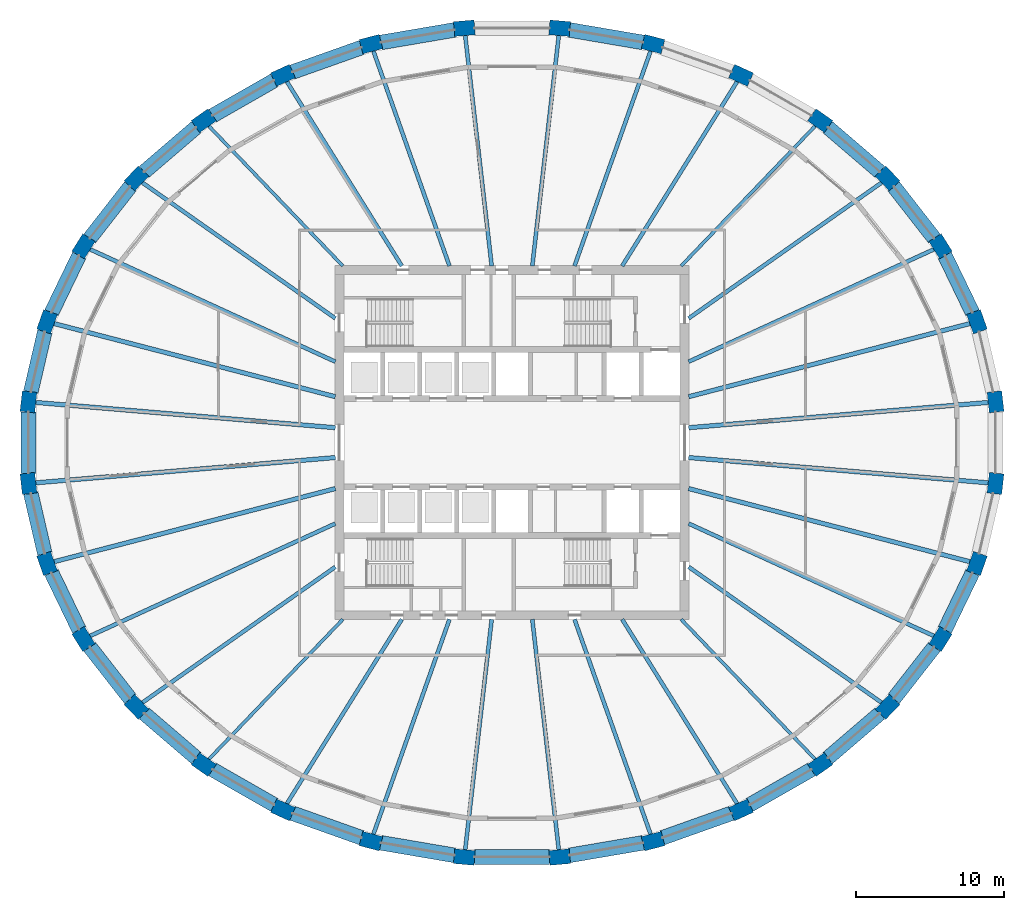
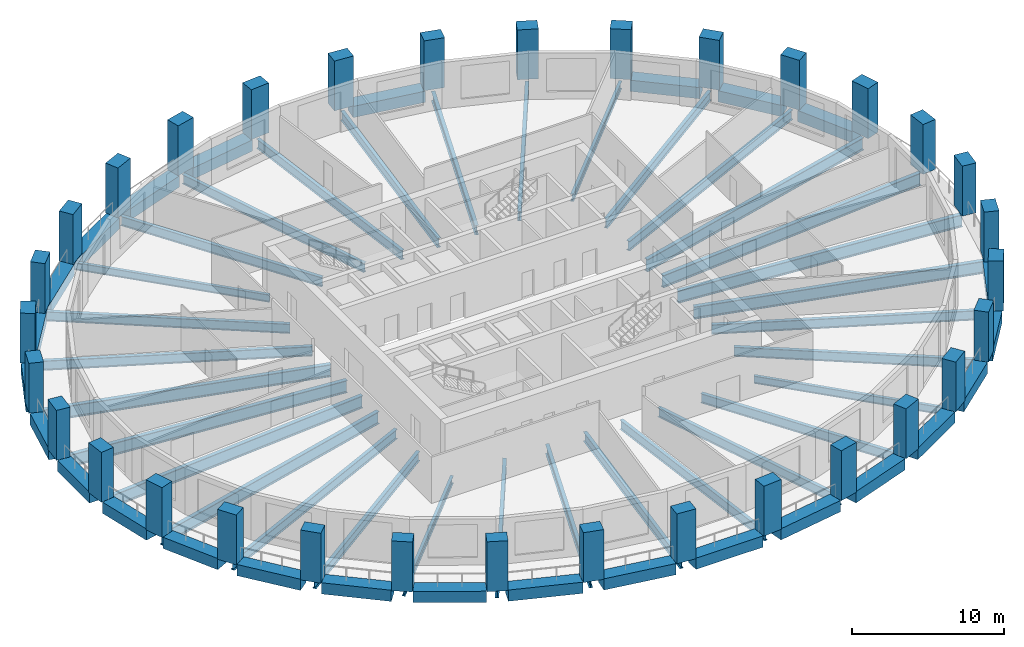
# One storey, part 1 of 10: 58 beams, 32 columns.
"""IFC4 building model written with IfcOpenShell, lengths in metres."""

from ifc_helpers import new_model, si_unit, direction, frame, origin, origin_2d, place, context, subcontext, project, spatial, rectangle, i_section, extrude, material, material_profile, profile_set, type_object, element, save


model = new_model("IFC4")

# Units and contexts
model_context = context("Model", 3, precision=1e-05, world=origin(), true_north=direction((0.0, 1.0)))
body_context = subcontext(model_context, "Body", "Model", "MODEL_VIEW")
ifc_project = project(units=[si_unit("LENGTHUNIT", "METRE"), si_unit("AREAUNIT", "SQUARE_METRE"), si_unit("VOLUMEUNIT", "CUBIC_METRE"), si_unit("PLANEANGLEUNIT", "RADIAN"), si_unit("MASSUNIT", "GRAM", prefix="KILO")], contexts=[model_context])

# Site, building, storey
site_placement = place(None, origin())
site = spatial("IfcSite", under=ifc_project, at=site_placement, CompositionType="ELEMENT")
building_placement = place(site_placement, origin())
building = spatial("IfcBuilding", under=site, at=building_placement, Name="Halqa Exchange Tower", CompositionType="ELEMENT")
storey_placement = place(building_placement, frame((0.0, 0.0, 182.89990234375)))
storey = spatial("IfcBuildingStorey", under=building, at=storey_placement, Name="L41", CompositionType="ELEMENT", Elevation=182.89990234375)

# Columns
ifc_material_1 = material(Name="Concrete C70/85", Category="concrete")
ifc_material_profile_1 = material_profile(ifc_material_1, rectangle(XDim=1.39990234375, YDim=1.0, at=origin_2d()), Name="1400 x 1000")
ifc_profile_set_1 = profile_set([ifc_material_profile_1], Name="Concrete C70/85")
column_type = type_object("IfcColumnType", Name="RC ring column 1400 x 1000 C70/85", PredefinedType="COLUMN", material=ifc_profile_set_1)
for number, where, z_axis, x_axis, name in (
    (1, (32.7626953125, 2.765869140625, 0.0), (0.0, 0.0, 1.0), (-0.114158655897, 0.993462531394, 0.0), "Ring column 1"),
    (2, (31.50341796875, 8.19140625, 0.0), (0.0, 0.0, 1.0), (-0.333632460227, 0.942703230865, 0.0), "Ring column 2"),
    (3, (29.03369140625, 13.302001953125, 0.0), (0.0, 0.0, 1.0), (-0.529137534311, 0.848536074533, 0.0), "Ring column 3"),
    (4, (25.448486328125, 17.9013671875, 0.0), (0.0, 0.0, 1.0), (-0.691574830638, 0.722304820438, 0.0), "Ring column 4"),
    (5, (20.885009765625, 21.81298828125, 0.0), (0.0, 0.0, 1.0), (-0.817911800523, 0.575343624772, 0.0), "Ring column 5"),
    (6, (15.518798828125, 24.885986328125, 0.0), (0.0, 0.0, 1.0), (-0.909127822794, 0.416517228722, 0.0), "Ring column 6"),
    (7, (9.556396484375, 27.0029296875, 0.0), (0.0, 0.0, 1.0), (-0.967819503571, 0.251645402317, 0.0), "Ring column 7"),
    (8, (3.226806640625, 28.082275390625, 0.0), (0.0, 0.0, 1.0), (-0.996455372165, 0.084123072248, 0.0), "Ring column 8"),
    (9, (-3.226806640625, 28.082275390625, 0.0), (0.0, 0.0, 1.0), (-0.996455372165, -0.084123072248, 0.0), "Ring column 9"),
    (10, (-9.556396484375, 27.0029296875, 0.0), (0.0, 0.0, 1.0), (-0.967819503571, -0.251645402317, 0.0), "Ring column 10"),
    (11, (-15.518798828125, 24.885986328125, 0.0), (0.0, 0.0, 1.0), (-0.909127822794, -0.416517228722, 0.0), "Ring column 11"),
    (12, (-20.885009765625, 21.81298828125, 0.0), (0.0, 0.0, 1.0), (-0.817911800523, -0.575343624772, 0.0), "Ring column 12"),
    (13, (-25.448486328125, 17.9013671875, 0.0), (0.0, 0.0, 1.0), (-0.691574830638, -0.722304820438, 0.0), "Ring column 13"),
    (14, (-29.03369140625, 13.302001953125, 0.0), (0.0, 0.0, 1.0), (-0.529137534311, -0.848536074533, 0.0), "Ring column 14"),
    (15, (-31.50341796875, 8.19140625, 0.0), (0.0, 0.0, 1.0), (-0.333632460227, -0.942703230865, 0.0), "Ring column 15"),
    (16, (-32.7626953125, 2.765869140625, 0.0), (0.0, 0.0, 1.0), (-0.114158655897, -0.993462531394, 0.0), "Ring column 16"),
    (17, (-32.7626953125, -2.765869140625, 0.0), (0.0, 0.0, 1.0), (0.114158655897, -0.993462531394, 0.0), "Ring column 17"),
    (18, (-31.50341796875, -8.19140625, 0.0), (0.0, 0.0, 1.0), (0.333632460227, -0.942703230865, 0.0), "Ring column 18"),
    (19, (-29.03369140625, -13.302001953125, 0.0), (0.0, 0.0, 1.0), (0.529137534311, -0.848536074533, 0.0), "Ring column 19"),
    (20, (-25.448486328125, -17.9013671875, 0.0), (0.0, 0.0, 1.0), (0.691574830638, -0.722304820438, 0.0), "Ring column 20"),
    (21, (-20.885009765625, -21.81298828125, 0.0), (0.0, 0.0, 1.0), (0.817911800523, -0.575343624772, 0.0), "Ring column 21"),
    (22, (-15.518798828125, -24.885986328125, 0.0), (0.0, 0.0, 1.0), (0.909127822794, -0.416517228722, 0.0), "Ring column 22"),
    (23, (-9.556396484375, -27.0029296875, 0.0), (0.0, 0.0, 1.0), (0.967819503571, -0.251645402317, 0.0), "Ring column 23"),
    (24, (-3.226806640625, -28.082275390625, 0.0), (0.0, 0.0, 1.0), (0.996455372165, -0.084123072248, 0.0), "Ring column 24"),
    (25, (3.226806640625, -28.082275390625, 0.0), (0.0, 0.0, 1.0), (0.996455372165, 0.084123072248, 0.0), "Ring column 25"),
    (26, (9.556396484375, -27.0029296875, 0.0), (0.0, 0.0, 1.0), (0.967819503571, 0.251645402317, 0.0), "Ring column 26"),
    (27, (15.518798828125, -24.885986328125, 0.0), (0.0, 0.0, 1.0), (0.909127822794, 0.416517228722, 0.0), "Ring column 27"),
    (28, (20.885009765625, -21.81298828125, 0.0), (0.0, 0.0, 1.0), (0.817911800523, 0.575343624772, 0.0), "Ring column 28"),
    (29, (25.448486328125, -17.9013671875, 0.0), (0.0, 0.0, 1.0), (0.691574830638, 0.722304820438, 0.0), "Ring column 29"),
    (30, (29.03369140625, -13.302001953125, 0.0), (0.0, 0.0, 1.0), (0.529137534311, 0.848536074533, 0.0), "Ring column 30"),
    (31, (31.50341796875, -8.19140625, 0.0), (0.0, 0.0, 1.0), (0.333632460227, 0.942703230865, 0.0), "Ring column 31"),
    (32, (32.7626953125, -2.765869140625, 0.0), (0.0, 0.0, 1.0), (0.114158655897, 0.993462531394, 0.0), "Ring column 32"),
):
    element("IfcColumn", number, at=place(storey_placement, frame(where, z_axis=z_axis, x_axis=x_axis)), inside=storey, type_object=column_type, Name=name, PredefinedType="COLUMN", context=body_context, shape_type="SweptSolid", body=[
        extrude(rectangle(XDim=1.39990234375, YDim=1.0, at=origin_2d()), origin(), (0.0, 0.0, 1.0), 4.0),
    ])

# Beams
ifc_material_2 = material(Name="Steel S355", Category="steel")
ifc_material_profile_2 = material_profile(ifc_material_2, i_section(OverallWidth=0.300048828125, OverallDepth=0.989990234375, WebThickness=0.0166015625, FlangeThickness=0.031005859375, FilletRadius=0.030029296875, at=origin_2d()), Name="HEA 1000")
ifc_profile_set_2 = profile_set([ifc_material_profile_2], Name="Steel S355")
beam_type_1 = type_object("IfcBeamType", Name="Floor beam HEA 1000", PredefinedType="BEAM", material=ifc_profile_set_2)
beam_1_placement = place(storey_placement, frame((11.972412109375, 1.0107421875, -0.794921875), z_axis=(0.996455573908, 0.084120682519, 0.0), x_axis=(-0.084120682519, 0.996455573908, 0.0)))
element("IfcBeam", 33, at=beam_1_placement, inside=storey, type_object=beam_type_1, Name="Radial beam 1", PredefinedType="BEAM", context=body_context, shape_type="SweptSolid", body=[
    extrude(i_section(OverallWidth=0.300048828125, OverallDepth=0.989990234375, WebThickness=0.0166015625, FlangeThickness=0.031005859375, FilletRadius=0.030029296875, at=origin_2d()), origin(), (0.0, 0.0, 1.0), 20.63232421875),
])
for number, where, z_axis, x_axis, name in (
    (34, (11.97119140625, 3.11279296875, -0.794921875), (0.967822327931, 0.251634539676, 0.0), (-0.251634539676, 0.967822327931, 0.0), "Radial beam 2"),
    (35, (-11.97119140625, 3.11279296875, -0.794921875), (-0.967822327931, 0.251634539676, 0.0), (-0.251634539676, -0.967822327931, 0.0), "Radial beam 15"),
):
    element("IfcBeam", number, at=place(storey_placement, frame(where, z_axis=z_axis, x_axis=x_axis)), inside=storey, type_object=beam_type_1, Name=name, PredefinedType="BEAM", context=body_context, shape_type="SweptSolid", body=[
        extrude(i_section(OverallWidth=0.300048828125, OverallDepth=0.989990234375, WebThickness=0.0166015625, FlangeThickness=0.031005859375, FilletRadius=0.030029296875, at=origin_2d()), origin(), (0.0, 0.0, 1.0), 19.94580078125),
    ])
for number, where, z_axis, x_axis, name in (
    (36, (-11.972412109375, 1.0107421875, -0.794921875), (-0.996455573908, 0.084120682519, 0.0), (-0.084120682519, -0.996455573908, 0.0), "Radial beam 16"),
    (37, (-11.972412109375, -1.0107421875, -0.794921875), (-0.996455573908, -0.084120682519, 0.0), (0.084120682519, -0.996455573908, 0.0), "Radial beam 17"),
):
    element("IfcBeam", number, at=place(storey_placement, frame(where, z_axis=z_axis, x_axis=x_axis)), inside=storey, type_object=beam_type_1, Name=name, PredefinedType="BEAM", context=body_context, shape_type="SweptSolid", body=[
        extrude(i_section(OverallWidth=0.300048828125, OverallDepth=0.989990234375, WebThickness=0.0166015625, FlangeThickness=0.031005859375, FilletRadius=0.030029296875, at=origin_2d()), origin(), (0.0, 0.0, 1.0), 20.63232421875),
    ])
for number, where, z_axis, x_axis, name in (
    (38, (-11.97119140625, -3.11279296875, -0.794921875), (-0.967822327931, -0.251634539676, 0.0), (0.251634539676, -0.967822327931, 0.0), "Radial beam 18"),
    (39, (11.97119140625, -3.11279296875, -0.794921875), (0.967822327931, -0.251634539676, 0.0), (0.251634539676, 0.967822327931, 0.0), "Radial beam 31"),
):
    element("IfcBeam", number, at=place(storey_placement, frame(where, z_axis=z_axis, x_axis=x_axis)), inside=storey, type_object=beam_type_1, Name=name, PredefinedType="BEAM", context=body_context, shape_type="SweptSolid", body=[
        extrude(i_section(OverallWidth=0.300048828125, OverallDepth=0.989990234375, WebThickness=0.0166015625, FlangeThickness=0.031005859375, FilletRadius=0.030029296875, at=origin_2d()), origin(), (0.0, 0.0, 1.0), 19.94580078125),
    ])
beam_2_placement = place(storey_placement, frame((11.972412109375, -1.0107421875, -0.794921875), z_axis=(0.996455573908, -0.084120682519, 0.0), x_axis=(0.084120682519, 0.996455573908, 0.0)))
element("IfcBeam", 40, at=beam_2_placement, inside=storey, type_object=beam_type_1, Name="Radial beam 32", PredefinedType="BEAM", context=body_context, shape_type="SweptSolid", body=[
    extrude(i_section(OverallWidth=0.300048828125, OverallDepth=0.989990234375, WebThickness=0.0166015625, FlangeThickness=0.031005859375, FilletRadius=0.030029296875, at=origin_2d()), origin(), (0.0, 0.0, 1.0), 20.63232421875),
])
ifc_material_profile_3 = material_profile(ifc_material_2, i_section(OverallWidth=0.219970703125, OverallDepth=0.60009765625, WebThickness=0.011962890625, FlangeThickness=0.01904296875, FilletRadius=0.02392578125, at=origin_2d()), Name="IPE 600")
ifc_profile_set_3 = profile_set([ifc_material_profile_3], Name="Steel S355")
beam_type_2 = type_object("IfcBeamType", Name="Floor beam IPE 600", PredefinedType="BEAM", material=ifc_profile_set_3)
for number, where, z_axis, x_axis, name in (
    (41, (11.463134765625, 11.972412109375, -0.599853515625), (0.691571093897, 0.722308398184, 0.0), (-0.722308398184, 0.691571093897, 0.0), "Radial beam 5"),
    (42, (-11.463134765625, 11.972412109375, -0.599853515625), (-0.691571093897, 0.722308398184, 0.0), (-0.722308398184, -0.691571093897, 0.0), "Radial beam 12"),
    (43, (-11.463134765625, -11.972412109375, -0.599853515625), (-0.691571093897, -0.722308398184, 0.0), (0.722308398184, -0.691571093897, 0.0), "Radial beam 21"),
    (44, (11.463134765625, -11.972412109375, -0.599853515625), (0.691571093897, -0.722308398184, 0.0), (0.722308398184, 0.691571093897, 0.0), "Radial beam 28"),
):
    element("IfcBeam", number, at=place(storey_placement, frame(where, z_axis=z_axis, x_axis=x_axis)), inside=storey, type_object=beam_type_2, Name=name, PredefinedType="BEAM", context=body_context, shape_type="SweptSolid", body=[
        extrude(i_section(OverallWidth=0.219970703125, OverallDepth=0.60009765625, WebThickness=0.011962890625, FlangeThickness=0.01904296875, FilletRadius=0.02392578125, at=origin_2d()), origin(), (0.0, 0.0, 1.0), 13.375732421875),
    ])
ifc_material_profile_4 = material_profile(ifc_material_2, i_section(OverallWidth=0.264892578125, OverallDepth=0.7529296875, WebThickness=0.01318359375, FlangeThickness=0.01708984375, FilletRadius=0.01708984375, at=origin_2d()), Name="IPE 750x147")
ifc_profile_set_4 = profile_set([ifc_material_profile_4], Name="Steel S355")
beam_type_3 = type_object("IfcBeamType", Name="Floor beam IPE 750x147", PredefinedType="BEAM", material=ifc_profile_set_4)
beam_3_placement = place(storey_placement, frame((11.97216796875, 8.421630859375, -0.676513671875), z_axis=(0.81790629386, 0.575351452995, 0.0), x_axis=(-0.575351452995, 0.81790629386, 0.0)))
element("IfcBeam", 45, at=beam_3_placement, inside=storey, type_object=beam_type_3, Name="Radial beam 4", PredefinedType="BEAM", context=body_context, shape_type="SweptSolid", body=[
    extrude(i_section(OverallWidth=0.264892578125, OverallDepth=0.7529296875, WebThickness=0.01318359375, FlangeThickness=0.01708984375, FilletRadius=0.01708984375, at=origin_2d()), origin(), (0.0, 0.0, 1.0), 16.232421875),
])
beam_4_placement = place(storey_placement, frame((7.466064453125, 11.972412109375, -0.676513671875), z_axis=(0.529132105538, 0.84853945983, 0.0), x_axis=(-0.84853945983, 0.529132105538, 0.0)))
element("IfcBeam", 46, at=beam_4_placement, inside=storey, type_object=beam_type_3, Name="Radial beam 6", PredefinedType="BEAM", context=body_context, shape_type="SweptSolid", body=[
    extrude(i_section(OverallWidth=0.264892578125, OverallDepth=0.7529296875, WebThickness=0.01318359375, FlangeThickness=0.01708984375, FilletRadius=0.01708984375, at=origin_2d()), origin(), (0.0, 0.0, 1.0), 14.966796875),
])
beam_5_placement = place(storey_placement, frame((4.23681640625, 11.9716796875, -0.676513671875), z_axis=(0.333629700929, 0.942704207404, 0.0), x_axis=(-0.942704207404, 0.333629700929, 0.0)))
element("IfcBeam", 47, at=beam_5_placement, inside=storey, type_object=beam_type_3, Name="Radial beam 7", PredefinedType="BEAM", context=body_context, shape_type="SweptSolid", body=[
    extrude(i_section(OverallWidth=0.264892578125, OverallDepth=0.7529296875, WebThickness=0.01318359375, FlangeThickness=0.01708984375, FilletRadius=0.01708984375, at=origin_2d()), origin(), (0.0, 0.0, 1.0), 15.69287109375),
])
for number, where, z_axis, x_axis, name in (
    (48, (1.375732421875, 11.972900390625, -0.676513671875), (0.114152671345, 0.99346321906, 0.0), (-0.99346321906, 0.114152671345, 0.0), "Radial beam 8"),
    (49, (-1.375732421875, 11.972900390625, -0.676513671875), (-0.114152671345, 0.99346321906, 0.0), (-0.99346321906, -0.114152671345, 0.0), "Radial beam 9"),
):
    element("IfcBeam", number, at=place(storey_placement, frame(where, z_axis=z_axis, x_axis=x_axis)), inside=storey, type_object=beam_type_3, Name=name, PredefinedType="BEAM", context=body_context, shape_type="SweptSolid", body=[
        extrude(i_section(OverallWidth=0.264892578125, OverallDepth=0.7529296875, WebThickness=0.01318359375, FlangeThickness=0.01708984375, FilletRadius=0.01708984375, at=origin_2d()), origin(), (0.0, 0.0, 1.0), 15.961181640625),
    ])
beam_6_placement = place(storey_placement, frame((-4.23681640625, 11.9716796875, -0.676513671875), z_axis=(-0.333629700929, 0.942704207404, 0.0), x_axis=(-0.942704207404, -0.333629700929, 0.0)))
element("IfcBeam", 50, at=beam_6_placement, inside=storey, type_object=beam_type_3, Name="Radial beam 10", PredefinedType="BEAM", context=body_context, shape_type="SweptSolid", body=[
    extrude(i_section(OverallWidth=0.264892578125, OverallDepth=0.7529296875, WebThickness=0.01318359375, FlangeThickness=0.01708984375, FilletRadius=0.01708984375, at=origin_2d()), origin(), (0.0, 0.0, 1.0), 15.69287109375),
])
beam_7_placement = place(storey_placement, frame((-7.466064453125, 11.972412109375, -0.676513671875), z_axis=(-0.529132105538, 0.84853945983, 0.0), x_axis=(-0.84853945983, -0.529132105538, 0.0)))
element("IfcBeam", 51, at=beam_7_placement, inside=storey, type_object=beam_type_3, Name="Radial beam 11", PredefinedType="BEAM", context=body_context, shape_type="SweptSolid", body=[
    extrude(i_section(OverallWidth=0.264892578125, OverallDepth=0.7529296875, WebThickness=0.01318359375, FlangeThickness=0.01708984375, FilletRadius=0.01708984375, at=origin_2d()), origin(), (0.0, 0.0, 1.0), 14.966796875),
])
for number, where, z_axis, x_axis, name in (
    (52, (-11.97216796875, 8.421630859375, -0.676513671875), (-0.81790629386, 0.575351452995, 0.0), (-0.575351452995, -0.81790629386, 0.0), "Radial beam 13"),
    (53, (-11.97216796875, -8.421630859375, -0.676513671875), (-0.81790629386, -0.575351452995, 0.0), (0.575351452995, -0.81790629386, 0.0), "Radial beam 20"),
):
    element("IfcBeam", number, at=place(storey_placement, frame(where, z_axis=z_axis, x_axis=x_axis)), inside=storey, type_object=beam_type_3, Name=name, PredefinedType="BEAM", context=body_context, shape_type="SweptSolid", body=[
        extrude(i_section(OverallWidth=0.264892578125, OverallDepth=0.7529296875, WebThickness=0.01318359375, FlangeThickness=0.01708984375, FilletRadius=0.01708984375, at=origin_2d()), origin(), (0.0, 0.0, 1.0), 16.232421875),
    ])
beam_8_placement = place(storey_placement, frame((-7.466064453125, -11.972412109375, -0.676513671875), z_axis=(-0.529132105538, -0.84853945983, 0.0), x_axis=(0.84853945983, -0.529132105538, 0.0)))
element("IfcBeam", 54, at=beam_8_placement, inside=storey, type_object=beam_type_3, Name="Radial beam 22", PredefinedType="BEAM", context=body_context, shape_type="SweptSolid", body=[
    extrude(i_section(OverallWidth=0.264892578125, OverallDepth=0.7529296875, WebThickness=0.01318359375, FlangeThickness=0.01708984375, FilletRadius=0.01708984375, at=origin_2d()), origin(), (0.0, 0.0, 1.0), 14.966796875),
])
beam_9_placement = place(storey_placement, frame((-4.23681640625, -11.9716796875, -0.676513671875), z_axis=(-0.333629700929, -0.942704207404, 0.0), x_axis=(0.942704207404, -0.333629700929, 0.0)))
element("IfcBeam", 55, at=beam_9_placement, inside=storey, type_object=beam_type_3, Name="Radial beam 23", PredefinedType="BEAM", context=body_context, shape_type="SweptSolid", body=[
    extrude(i_section(OverallWidth=0.264892578125, OverallDepth=0.7529296875, WebThickness=0.01318359375, FlangeThickness=0.01708984375, FilletRadius=0.01708984375, at=origin_2d()), origin(), (0.0, 0.0, 1.0), 15.69287109375),
])
for number, where, z_axis, x_axis, name in (
    (56, (-1.375732421875, -11.972900390625, -0.676513671875), (-0.114152671345, -0.99346321906, 0.0), (0.99346321906, -0.114152671345, 0.0), "Radial beam 24"),
    (57, (1.375732421875, -11.972900390625, -0.676513671875), (0.114152671345, -0.99346321906, 0.0), (0.99346321906, 0.114152671345, 0.0), "Radial beam 25"),
):
    element("IfcBeam", number, at=place(storey_placement, frame(where, z_axis=z_axis, x_axis=x_axis)), inside=storey, type_object=beam_type_3, Name=name, PredefinedType="BEAM", context=body_context, shape_type="SweptSolid", body=[
        extrude(i_section(OverallWidth=0.264892578125, OverallDepth=0.7529296875, WebThickness=0.01318359375, FlangeThickness=0.01708984375, FilletRadius=0.01708984375, at=origin_2d()), origin(), (0.0, 0.0, 1.0), 15.961181640625),
    ])
beam_10_placement = place(storey_placement, frame((4.23681640625, -11.9716796875, -0.676513671875), z_axis=(0.333629700929, -0.942704207404, 0.0), x_axis=(0.942704207404, 0.333629700929, 0.0)))
element("IfcBeam", 58, at=beam_10_placement, inside=storey, type_object=beam_type_3, Name="Radial beam 26", PredefinedType="BEAM", context=body_context, shape_type="SweptSolid", body=[
    extrude(i_section(OverallWidth=0.264892578125, OverallDepth=0.7529296875, WebThickness=0.01318359375, FlangeThickness=0.01708984375, FilletRadius=0.01708984375, at=origin_2d()), origin(), (0.0, 0.0, 1.0), 15.69287109375),
])
beam_11_placement = place(storey_placement, frame((7.466064453125, -11.972412109375, -0.676513671875), z_axis=(0.529132105538, -0.84853945983, 0.0), x_axis=(0.84853945983, 0.529132105538, 0.0)))
element("IfcBeam", 59, at=beam_11_placement, inside=storey, type_object=beam_type_3, Name="Radial beam 27", PredefinedType="BEAM", context=body_context, shape_type="SweptSolid", body=[
    extrude(i_section(OverallWidth=0.264892578125, OverallDepth=0.7529296875, WebThickness=0.01318359375, FlangeThickness=0.01708984375, FilletRadius=0.01708984375, at=origin_2d()), origin(), (0.0, 0.0, 1.0), 14.966796875),
])
beam_12_placement = place(storey_placement, frame((11.97216796875, -8.421630859375, -0.676513671875), z_axis=(0.81790629386, -0.575351452995, 0.0), x_axis=(0.575351452995, 0.81790629386, 0.0)))
element("IfcBeam", 60, at=beam_12_placement, inside=storey, type_object=beam_type_3, Name="Radial beam 29", PredefinedType="BEAM", context=body_context, shape_type="SweptSolid", body=[
    extrude(i_section(OverallWidth=0.264892578125, OverallDepth=0.7529296875, WebThickness=0.01318359375, FlangeThickness=0.01708984375, FilletRadius=0.01708984375, at=origin_2d()), origin(), (0.0, 0.0, 1.0), 16.232421875),
])
ifc_material_profile_5 = material_profile(ifc_material_2, i_section(OverallWidth=0.26806640625, OverallDepth=0.77001953125, WebThickness=0.015625, FlangeThickness=0.025390625, FilletRadius=0.01708984375, at=origin_2d()), Name="IPE 750x196")
ifc_profile_set_5 = profile_set([ifc_material_profile_5], Name="Steel S355")
beam_type_4 = type_object("IfcBeamType", Name="Floor beam IPE 750x196", PredefinedType="BEAM", material=ifc_profile_set_5)
for number, where, z_axis, x_axis, name in (
    (61, (11.97119140625, 5.484619140625, -0.684814453125), (0.909128238354, 0.416516321681, 0.0), (-0.416516321681, 0.909128238354, 0.0), "Radial beam 3"),
    (62, (-11.97119140625, 5.484619140625, -0.684814453125), (-0.909128238354, 0.416516321681, 0.0), (-0.416516321681, -0.909128238354, 0.0), "Radial beam 14"),
    (63, (-11.97119140625, -5.484619140625, -0.684814453125), (-0.909128238354, -0.416516321681, 0.0), (0.416516321681, -0.909128238354, 0.0), "Radial beam 19"),
    (64, (11.97119140625, -5.484619140625, -0.684814453125), (0.909128238354, -0.416516321681, 0.0), (0.416516321681, 0.909128238354, 0.0), "Radial beam 30"),
):
    element("IfcBeam", number, at=place(storey_placement, frame(where, z_axis=z_axis, x_axis=x_axis)), inside=storey, type_object=beam_type_4, Name=name, PredefinedType="BEAM", context=body_context, shape_type="SweptSolid", body=[
        extrude(i_section(OverallWidth=0.26806640625, OverallDepth=0.77001953125, WebThickness=0.015625, FlangeThickness=0.025390625, FilletRadius=0.01708984375, at=origin_2d()), origin(), (0.0, 0.0, 1.0), 18.528076171875),
    ])
ifc_material_3 = material(Name="Concrete C60/75", Category="concrete")
ifc_material_profile_6 = material_profile(ifc_material_3, rectangle(XDim=1.0, YDim=0.89990234375, at=origin_2d()), Name="1000 x 900")
ifc_profile_set_6 = profile_set([ifc_material_profile_6], Name="Concrete C60/75")
beam_type_5 = type_object("IfcBeamType", Name="RC spandrel beam 1000 x 900 C60/75", PredefinedType="SPANDREL", material=ifc_profile_set_6)
beam_13_placement = place(storey_placement, frame((31.209228515625, 8.800048828125, -0.449951171875), z_axis=(-0.435115273313, 0.900374754716, 0.0), x_axis=(-0.900374754716, -0.435115273313, 0.0)))
element("IfcBeam", 65, at=beam_13_placement, inside=storey, type_object=beam_type_5, Name="Spandrel 2", PredefinedType="SPANDREL", context=body_context, shape_type="SweptSolid", body=[
    extrude(rectangle(XDim=1.0, YDim=0.89990234375, at=origin_2d()), origin(), (0.0, 0.0, 1.0), 4.324951171875),
])
beam_14_placement = place(storey_placement, frame((28.618408203125, 13.8349609375, -0.449951171875), z_axis=(-0.61479263839, 0.788688792732, 0.0), x_axis=(-0.788688792732, -0.61479263839, 0.0)))
element("IfcBeam", 66, at=beam_14_placement, inside=storey, type_object=beam_type_5, Name="Spandrel 3", PredefinedType="SPANDREL", context=body_context, shape_type="SweptSolid", body=[
    extrude(rectangle(XDim=1.0, YDim=0.89990234375, at=origin_2d()), origin(), (0.0, 0.0, 1.0), 4.4814453125),
])
beam_15_placement = place(storey_placement, frame((24.935546875, 18.3408203125, -0.449951171875), z_axis=(-0.759238115243, 0.650812941145, 0.0), x_axis=(-0.650812941145, -0.759238115243, 0.0)))
element("IfcBeam", 67, at=beam_15_placement, inside=storey, type_object=beam_type_5, Name="Spandrel 4", PredefinedType="SPANDREL", context=body_context, shape_type="SweptSolid", body=[
    extrude(rectangle(XDim=1.0, YDim=0.89990234375, at=origin_2d()), origin(), (0.0, 0.0, 1.0), 4.6611328125),
])
for number, where, z_axis, x_axis, name in (
    (68, (8.892333984375, 27.1162109375, -0.449951171875), (-0.985771657048, 0.168089976386, 0.0), (-0.168089976386, -0.985771657048, 0.0), "Spandrel 7"),
    (69, (-3.892578125, 27.96875, -0.449951171875), (-0.985771657048, -0.168089976386, 0.0), (0.168089976386, -0.985771657048, 0.0), "Spandrel 9"),
):
    element("IfcBeam", number, at=place(storey_placement, frame(where, z_axis=z_axis, x_axis=x_axis)), inside=storey, type_object=beam_type_5, Name=name, PredefinedType="SPANDREL", context=body_context, shape_type="SweptSolid", body=[
        extrude(rectangle(XDim=1.0, YDim=0.89990234375, at=origin_2d()), origin(), (0.0, 0.0, 1.0), 5.072021484375),
    ])
beam_16_placement = place(storey_placement, frame((-10.19189453125, 26.77734375, -0.449951171875), z_axis=(-0.942363905459, -0.3345897035, 0.0), x_axis=(0.3345897035, -0.942363905459, 0.0)))
element("IfcBeam", 70, at=beam_16_placement, inside=storey, type_object=beam_type_5, Name="Spandrel 10", PredefinedType="SPANDREL", context=body_context, shape_type="SweptSolid", body=[
    extrude(rectangle(XDim=1.0, YDim=0.89990234375, at=origin_2d()), origin(), (0.0, 0.0, 1.0), 4.977783203125),
])
beam_17_placement = place(storey_placement, frame((-16.103759765625, 24.55126953125, -0.449951171875), z_axis=(-0.867742419962, -0.497014177462, 0.0), x_axis=(0.497014177462, -0.867742419962, 0.0)))
element("IfcBeam", 71, at=beam_17_placement, inside=storey, type_object=beam_type_5, Name="Spandrel 11", PredefinedType="SPANDREL", context=body_context, shape_type="SweptSolid", body=[
    extrude(rectangle(XDim=1.0, YDim=0.89990234375, at=origin_2d()), origin(), (0.0, 0.0, 1.0), 4.8349609375),
])
beam_18_placement = place(storey_placement, frame((-21.396728515625, 21.374267578125, -0.449951171875), z_axis=(-0.759238115243, -0.650812941145, 0.0), x_axis=(0.650812941145, -0.759238115243, 0.0)))
element("IfcBeam", 72, at=beam_18_placement, inside=storey, type_object=beam_type_5, Name="Spandrel 12", PredefinedType="SPANDREL", context=body_context, shape_type="SweptSolid", body=[
    extrude(rectangle(XDim=1.0, YDim=0.89990234375, at=origin_2d()), origin(), (0.0, 0.0, 1.0), 4.6611328125),
])
beam_19_placement = place(storey_placement, frame((-25.86328125, 17.369384765625, -0.449951171875), z_axis=(-0.61479263839, -0.788688792732, 0.0), x_axis=(0.788688792732, -0.61479263839, 0.0)))
element("IfcBeam", 73, at=beam_19_placement, inside=storey, type_object=beam_type_5, Name="Spandrel 13", PredefinedType="SPANDREL", context=body_context, shape_type="SweptSolid", body=[
    extrude(rectangle(XDim=1.0, YDim=0.89990234375, at=origin_2d()), origin(), (0.0, 0.0, 1.0), 4.4814453125),
])
beam_20_placement = place(storey_placement, frame((-29.327392578125, 12.694091796875, -0.449951171875), z_axis=(-0.435115273313, -0.900374754716, 0.0), x_axis=(0.900374754716, -0.435115273313, 0.0)))
element("IfcBeam", 74, at=beam_20_placement, inside=storey, type_object=beam_type_5, Name="Spandrel 14", PredefinedType="SPANDREL", context=body_context, shape_type="SweptSolid", body=[
    extrude(rectangle(XDim=1.0, YDim=0.89990234375, at=origin_2d()), origin(), (0.0, 0.0, 1.0), 4.324951171875),
])
beam_21_placement = place(storey_placement, frame((-31.656494140625, 7.53173828125, -0.449951171875), z_axis=(-0.226085562034, -0.974107447174, 0.0), x_axis=(0.974107447174, -0.226085562034, 0.0)))
element("IfcBeam", 75, at=beam_21_placement, inside=storey, type_object=beam_type_5, Name="Spandrel 15", PredefinedType="SPANDREL", context=body_context, shape_type="SweptSolid", body=[
    extrude(rectangle(XDim=1.0, YDim=0.89990234375, at=origin_2d()), origin(), (0.0, 0.0, 1.0), 4.216796875),
])
beam_22_placement = place(storey_placement, frame((-32.7626953125, 2.08984375, -0.449951171875), z_axis=(0.0, -1.0, 0.0), x_axis=(1.0, 0.0, 0.0)))
element("IfcBeam", 76, at=beam_22_placement, inside=storey, type_object=beam_type_5, Name="Spandrel 16", PredefinedType="SPANDREL", context=body_context, shape_type="SweptSolid", body=[
    extrude(rectangle(XDim=1.0, YDim=0.89990234375, at=origin_2d()), origin(), (0.0, 0.0, 1.0), 4.1796875),
])
beam_23_placement = place(storey_placement, frame((-32.60986328125, -3.424072265625, -0.449951171875), z_axis=(0.226085562034, -0.974107447174, 0.0), x_axis=(0.974107447174, 0.226085562034, 0.0)))
element("IfcBeam", 77, at=beam_23_placement, inside=storey, type_object=beam_type_5, Name="Spandrel 17", PredefinedType="SPANDREL", context=body_context, shape_type="SweptSolid", body=[
    extrude(rectangle(XDim=1.0, YDim=0.89990234375, at=origin_2d()), origin(), (0.0, 0.0, 1.0), 4.216796875),
])
beam_24_placement = place(storey_placement, frame((-31.209228515625, -8.800048828125, -0.449951171875), z_axis=(0.435115273313, -0.900374754716, 0.0), x_axis=(0.900374754716, 0.435115273313, 0.0)))
element("IfcBeam", 78, at=beam_24_placement, inside=storey, type_object=beam_type_5, Name="Spandrel 18", PredefinedType="SPANDREL", context=body_context, shape_type="SweptSolid", body=[
    extrude(rectangle(XDim=1.0, YDim=0.89990234375, at=origin_2d()), origin(), (0.0, 0.0, 1.0), 4.324951171875),
])
beam_25_placement = place(storey_placement, frame((-28.618408203125, -13.8349609375, -0.449951171875), z_axis=(0.61479263839, -0.788688792732, 0.0), x_axis=(0.788688792732, 0.61479263839, 0.0)))
element("IfcBeam", 79, at=beam_25_placement, inside=storey, type_object=beam_type_5, Name="Spandrel 19", PredefinedType="SPANDREL", context=body_context, shape_type="SweptSolid", body=[
    extrude(rectangle(XDim=1.0, YDim=0.89990234375, at=origin_2d()), origin(), (0.0, 0.0, 1.0), 4.4814453125),
])
beam_26_placement = place(storey_placement, frame((-24.935546875, -18.3408203125, -0.449951171875), z_axis=(0.759238115243, -0.650812941145, 0.0), x_axis=(0.650812941145, 0.759238115243, 0.0)))
element("IfcBeam", 80, at=beam_26_placement, inside=storey, type_object=beam_type_5, Name="Spandrel 20", PredefinedType="SPANDREL", context=body_context, shape_type="SweptSolid", body=[
    extrude(rectangle(XDim=1.0, YDim=0.89990234375, at=origin_2d()), origin(), (0.0, 0.0, 1.0), 4.6611328125),
])
beam_27_placement = place(storey_placement, frame((-20.29931640625, -22.148193359375, -0.449951171875), z_axis=(0.867742419962, -0.497014177462, 0.0), x_axis=(0.497014177462, 0.867742419962, 0.0)))
element("IfcBeam", 81, at=beam_27_placement, inside=storey, type_object=beam_type_5, Name="Spandrel 21", PredefinedType="SPANDREL", context=body_context, shape_type="SweptSolid", body=[
    extrude(rectangle(XDim=1.0, YDim=0.89990234375, at=origin_2d()), origin(), (0.0, 0.0, 1.0), 4.8349609375),
])
beam_28_placement = place(storey_placement, frame((-14.8828125, -25.11181640625, -0.449951171875), z_axis=(0.942363905459, -0.3345897035, 0.0), x_axis=(0.3345897035, 0.942363905459, 0.0)))
element("IfcBeam", 82, at=beam_28_placement, inside=storey, type_object=beam_type_5, Name="Spandrel 22", PredefinedType="SPANDREL", context=body_context, shape_type="SweptSolid", body=[
    extrude(rectangle(XDim=1.0, YDim=0.89990234375, at=origin_2d()), origin(), (0.0, 0.0, 1.0), 4.977783203125),
])
beam_29_placement = place(storey_placement, frame((-8.892333984375, -27.1162109375, -0.449951171875), z_axis=(0.985771657048, -0.168089976386, 0.0), x_axis=(0.168089976386, 0.985771657048, 0.0)))
element("IfcBeam", 83, at=beam_29_placement, inside=storey, type_object=beam_type_5, Name="Spandrel 23", PredefinedType="SPANDREL", context=body_context, shape_type="SweptSolid", body=[
    extrude(rectangle(XDim=1.0, YDim=0.89990234375, at=origin_2d()), origin(), (0.0, 0.0, 1.0), 5.072021484375),
])
beam_30_placement = place(storey_placement, frame((-2.551513671875, -28.082275390625, -0.449951171875), z_axis=(1.0, 0.0, 0.0), x_axis=(0.0, 1.0, 0.0)))
element("IfcBeam", 84, at=beam_30_placement, inside=storey, type_object=beam_type_5, Name="Spandrel 24", PredefinedType="SPANDREL", context=body_context, shape_type="SweptSolid", body=[
    extrude(rectangle(XDim=1.0, YDim=0.89990234375, at=origin_2d()), origin(), (0.0, 0.0, 1.0), 5.10302734375),
])
beam_31_placement = place(storey_placement, frame((3.892578125, -27.96875, -0.449951171875), z_axis=(0.985771657048, 0.168089976386, 0.0), x_axis=(-0.168089976386, 0.985771657048, 0.0)))
element("IfcBeam", 85, at=beam_31_placement, inside=storey, type_object=beam_type_5, Name="Spandrel 25", PredefinedType="SPANDREL", context=body_context, shape_type="SweptSolid", body=[
    extrude(rectangle(XDim=1.0, YDim=0.89990234375, at=origin_2d()), origin(), (0.0, 0.0, 1.0), 5.072021484375),
])
beam_32_placement = place(storey_placement, frame((10.19189453125, -26.77734375, -0.449951171875), z_axis=(0.942363905459, 0.3345897035, 0.0), x_axis=(-0.3345897035, 0.942363905459, 0.0)))
element("IfcBeam", 86, at=beam_32_placement, inside=storey, type_object=beam_type_5, Name="Spandrel 26", PredefinedType="SPANDREL", context=body_context, shape_type="SweptSolid", body=[
    extrude(rectangle(XDim=1.0, YDim=0.89990234375, at=origin_2d()), origin(), (0.0, 0.0, 1.0), 4.977783203125),
])
beam_33_placement = place(storey_placement, frame((16.103759765625, -24.55126953125, -0.449951171875), z_axis=(0.867742419962, 0.497014177462, 0.0), x_axis=(-0.497014177462, 0.867742419962, 0.0)))
element("IfcBeam", 87, at=beam_33_placement, inside=storey, type_object=beam_type_5, Name="Spandrel 27", PredefinedType="SPANDREL", context=body_context, shape_type="SweptSolid", body=[
    extrude(rectangle(XDim=1.0, YDim=0.89990234375, at=origin_2d()), origin(), (0.0, 0.0, 1.0), 4.8349609375),
])
beam_34_placement = place(storey_placement, frame((21.396728515625, -21.374267578125, -0.449951171875), z_axis=(0.759238115243, 0.650812941145, 0.0), x_axis=(-0.650812941145, 0.759238115243, 0.0)))
element("IfcBeam", 88, at=beam_34_placement, inside=storey, type_object=beam_type_5, Name="Spandrel 28", PredefinedType="SPANDREL", context=body_context, shape_type="SweptSolid", body=[
    extrude(rectangle(XDim=1.0, YDim=0.89990234375, at=origin_2d()), origin(), (0.0, 0.0, 1.0), 4.6611328125),
])
beam_35_placement = place(storey_placement, frame((25.86328125, -17.369384765625, -0.449951171875), z_axis=(0.61479263839, 0.788688792732, 0.0), x_axis=(-0.788688792732, 0.61479263839, 0.0)))
element("IfcBeam", 89, at=beam_35_placement, inside=storey, type_object=beam_type_5, Name="Spandrel 29", PredefinedType="SPANDREL", context=body_context, shape_type="SweptSolid", body=[
    extrude(rectangle(XDim=1.0, YDim=0.89990234375, at=origin_2d()), origin(), (0.0, 0.0, 1.0), 4.4814453125),
])
beam_36_placement = place(storey_placement, frame((29.327392578125, -12.694091796875, -0.449951171875), z_axis=(0.435115273313, 0.900374754716, 0.0), x_axis=(-0.900374754716, 0.435115273313, 0.0)))
element("IfcBeam", 90, at=beam_36_placement, inside=storey, type_object=beam_type_5, Name="Spandrel 30", PredefinedType="SPANDREL", context=body_context, shape_type="SweptSolid", body=[
    extrude(rectangle(XDim=1.0, YDim=0.89990234375, at=origin_2d()), origin(), (0.0, 0.0, 1.0), 4.324951171875),
])

save(model, "model.ifc")
